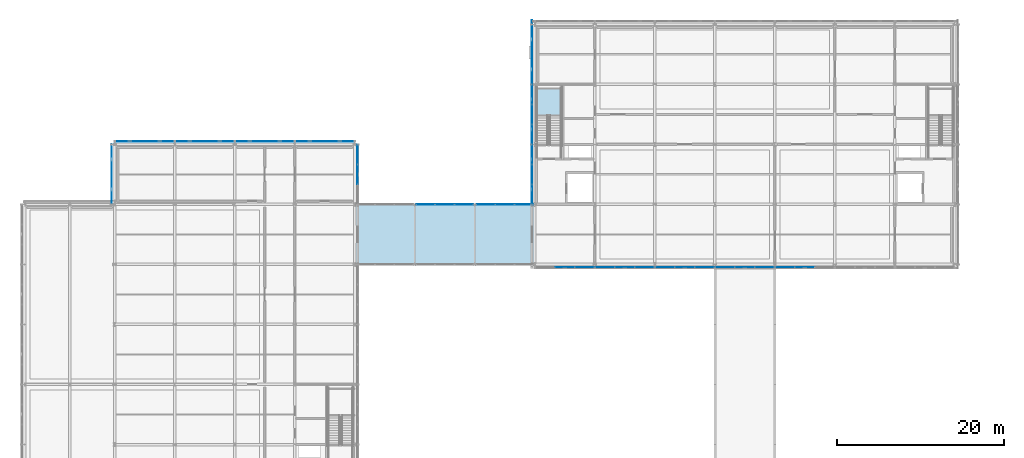
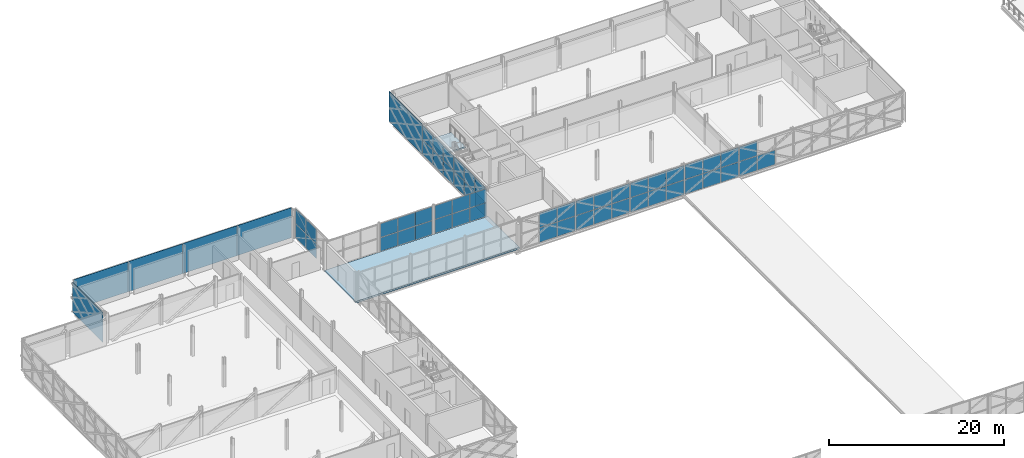
# One storey, part 80 of 126: 59 plates, 2 slabs, 11 elements without a shape of their own.
"""IFC4 building model written with IfcOpenShell, lengths in metres."""

from ifc_helpers import new_model, si_unit, direction, frame, origin, origin_2d, place, context, subcontext, project, spatial, polyline, rectangle, outline, extrude, material, layer, layer_set, type_object, element, aggregate, save


model = new_model("IFC4")

# Units and contexts
model_context = context("Model", 3, precision=1e-05, world=origin(), true_north=direction((0.0, 1.0)))
body_context = subcontext(model_context, "Body", "Model", "MODEL_VIEW")
ifc_project = project(units=[si_unit("LENGTHUNIT", "METRE"), si_unit("AREAUNIT", "SQUARE_METRE"), si_unit("VOLUMEUNIT", "CUBIC_METRE"), si_unit("PLANEANGLEUNIT", "RADIAN"), si_unit("MASSUNIT", "GRAM", prefix="KILO")], contexts=[model_context])

# Site, building, storey
site_placement = place(None, origin())
site = spatial("IfcSite", under=ifc_project, at=site_placement, CompositionType="ELEMENT")
building_placement = place(site_placement, origin())
building = spatial("IfcBuilding", under=site, at=building_placement, Name="Zlatovets Crest Museum", CompositionType="ELEMENT")
storey_placement = place(building_placement, frame((0.0, 0.0, 8.699951171875)))
storey = spatial("IfcBuildingStorey", under=building, at=storey_placement, Name="L02", CompositionType="ELEMENT", Elevation=8.699951171875)

# Curtain wall, plates
ifc_material_1 = material(Name="Bronze-anodised aluminium and low-E triple glass", Category="aluminium")
curtain_wall_type_1 = type_object("IfcCurtainWallType", Name="CW_CW-BR3-L02-S69", PredefinedType="NOTDEFINED", material=ifc_material_1)
curtain_wall_1_placement = place(storey_placement, origin())
curtain_wall_1 = element("IfcCurtainWall", 1, at=curtain_wall_1_placement, inside=storey, type_object=curtain_wall_type_1, Name="Northwest Crest Glazed Link Bridge L02 Glazed Bridge Curtain Wall", PredefinedType="NOTDEFINED")
ifc_material_2 = material(Name="Solar-control low-E laminated triple glass", Category="glass")
ifc_layer_1 = layer(ifc_material_2, 0.030029296875)
ifc_layer_set_1 = layer_set([ifc_layer_1], Name="Solar-control low-E laminated triple glass")
plate_type_1 = type_object("IfcPlateType", Name="CWPanel_CW-BR3-L02-S69", PredefinedType="CURTAIN_PANEL", material=ifc_layer_set_1)
plate_1_placement = place(storey_placement, frame((44.514892578125, 93.60009765625, 0.06005859375), z_axis=(0.0, 0.0, 1.0), x_axis=(1.0, 0.0, 0.0)))
plate_1 = element("IfcPlate", 2, at=plate_1_placement, type_object=plate_type_1, Name="CW-BR3-L02-S69 panel 1.1", PredefinedType="CURTAIN_PANEL", context=body_context, shape_type="SweptSolid", body=[
    extrude(rectangle(XDim=2.2099609375, YDim=0.030029296875, at=origin_2d()), origin(), (0.0, 0.0, 1.0), 1.89990234375),
])
plate_2_placement = place(storey_placement, frame((44.514892578125, 93.60009765625, 2.02001953125), z_axis=(0.0, 0.0, 1.0), x_axis=(1.0, 0.0, 0.0)))
plate_2 = element("IfcPlate", 3, at=plate_2_placement, type_object=plate_type_1, Name="CW-BR3-L02-S69 panel 1.2", PredefinedType="CURTAIN_PANEL", context=body_context, shape_type="SweptSolid", body=[
    extrude(rectangle(XDim=2.2099609375, YDim=0.030029296875, at=origin_2d()), origin(), (0.0, 0.0, 1.0), 1.89990234375),
])
plate_3_placement = place(storey_placement, frame((46.800048828125, 93.60009765625, 0.06005859375), z_axis=(0.0, 0.0, 1.0), x_axis=(1.0, 0.0, 0.0)))
plate_3 = element("IfcPlate", 4, at=plate_3_placement, type_object=plate_type_1, Name="CW-BR3-L02-S69 panel 2.1", PredefinedType="CURTAIN_PANEL", context=body_context, shape_type="SweptSolid", body=[
    extrude(rectangle(XDim=2.239990234375, YDim=0.030029296875, at=origin_2d()), origin(), (0.0, 0.0, 1.0), 1.89990234375),
])
plate_4_placement = place(storey_placement, frame((46.800048828125, 93.60009765625, 2.02001953125), z_axis=(0.0, 0.0, 1.0), x_axis=(1.0, 0.0, 0.0)))
plate_4 = element("IfcPlate", 5, at=plate_4_placement, type_object=plate_type_1, Name="CW-BR3-L02-S69 panel 2.2", PredefinedType="CURTAIN_PANEL", context=body_context, shape_type="SweptSolid", body=[
    extrude(rectangle(XDim=2.239990234375, YDim=0.030029296875, at=origin_2d()), origin(), (0.0, 0.0, 1.0), 1.89990234375),
])
plate_5_placement = place(storey_placement, frame((49.0849609375, 93.60009765625, 0.06005859375), z_axis=(0.0, 0.0, 1.0), x_axis=(1.0, 0.0, 0.0)))
plate_5 = element("IfcPlate", 6, at=plate_5_placement, type_object=plate_type_1, Name="CW-BR3-L02-S69 panel 3.1", PredefinedType="CURTAIN_PANEL", context=body_context, shape_type="SweptSolid", body=[
    extrude(rectangle(XDim=2.2099609375, YDim=0.030029296875, at=origin_2d()), origin(), (0.0, 0.0, 1.0), 1.89990234375),
])
plate_6_placement = place(storey_placement, frame((49.0849609375, 93.60009765625, 2.02001953125), z_axis=(0.0, 0.0, 1.0), x_axis=(1.0, 0.0, 0.0)))
plate_6 = element("IfcPlate", 7, at=plate_6_placement, type_object=plate_type_1, Name="CW-BR3-L02-S69 panel 3.2", PredefinedType="CURTAIN_PANEL", context=body_context, shape_type="SweptSolid", body=[
    extrude(rectangle(XDim=2.2099609375, YDim=0.030029296875, at=origin_2d()), origin(), (0.0, 0.0, 1.0), 1.89990234375),
])
aggregate(curtain_wall_1, [plate_1, plate_2, plate_3, plate_4, plate_5, plate_6])

curtain_wall_2_placement = place(storey_placement, origin())
curtain_wall_2 = element("IfcCurtainWall", 8, at=curtain_wall_2_placement, inside=storey, type_object=curtain_wall_type_1, Name="Northwest Crest Glazed Link Bridge L02 Glazed Bridge Curtain Wall", PredefinedType="NOTDEFINED")
plate_7_placement = place(storey_placement, frame((51.715087890625, 93.60009765625, 0.06005859375), z_axis=(0.0, 0.0, 1.0), x_axis=(1.0, 0.0, 0.0)))
plate_7 = element("IfcPlate", 9, at=plate_7_placement, type_object=plate_type_1, Name="CW-BR3-L02-S69 panel 1.1", PredefinedType="CURTAIN_PANEL", context=body_context, shape_type="SweptSolid", body=[
    extrude(rectangle(XDim=2.2099609375, YDim=0.030029296875, at=origin_2d()), origin(), (0.0, 0.0, 1.0), 1.89990234375),
])
plate_8_placement = place(storey_placement, frame((51.715087890625, 93.60009765625, 2.02001953125), z_axis=(0.0, 0.0, 1.0), x_axis=(1.0, 0.0, 0.0)))
plate_8 = element("IfcPlate", 10, at=plate_8_placement, type_object=plate_type_1, Name="CW-BR3-L02-S69 panel 1.2", PredefinedType="CURTAIN_PANEL", context=body_context, shape_type="SweptSolid", body=[
    extrude(rectangle(XDim=2.2099609375, YDim=0.030029296875, at=origin_2d()), origin(), (0.0, 0.0, 1.0), 1.89990234375),
])
plate_9_placement = place(storey_placement, frame((54.0, 93.60009765625, 0.06005859375), z_axis=(0.0, 0.0, 1.0), x_axis=(1.0, 0.0, 0.0)))
plate_9 = element("IfcPlate", 11, at=plate_9_placement, type_object=plate_type_1, Name="CW-BR3-L02-S69 panel 2.1", PredefinedType="CURTAIN_PANEL", context=body_context, shape_type="SweptSolid", body=[
    extrude(rectangle(XDim=2.239990234375, YDim=0.030029296875, at=origin_2d()), origin(), (0.0, 0.0, 1.0), 1.89990234375),
])
plate_10_placement = place(storey_placement, frame((54.0, 93.60009765625, 2.02001953125), z_axis=(0.0, 0.0, 1.0), x_axis=(1.0, 0.0, 0.0)))
plate_10 = element("IfcPlate", 12, at=plate_10_placement, type_object=plate_type_1, Name="CW-BR3-L02-S69 panel 2.2", PredefinedType="CURTAIN_PANEL", context=body_context, shape_type="SweptSolid", body=[
    extrude(rectangle(XDim=2.239990234375, YDim=0.030029296875, at=origin_2d()), origin(), (0.0, 0.0, 1.0), 1.89990234375),
])
plate_11_placement = place(storey_placement, frame((56.284912109375, 93.60009765625, 0.06005859375), z_axis=(0.0, 0.0, 1.0), x_axis=(1.0, 0.0, 0.0)))
plate_11 = element("IfcPlate", 13, at=plate_11_placement, type_object=plate_type_1, Name="CW-BR3-L02-S69 panel 3.1", PredefinedType="CURTAIN_PANEL", context=body_context, shape_type="SweptSolid", body=[
    extrude(rectangle(XDim=2.2099609375, YDim=0.030029296875, at=origin_2d()), origin(), (0.0, 0.0, 1.0), 1.89990234375),
])
plate_12_placement = place(storey_placement, frame((56.284912109375, 93.60009765625, 2.02001953125), z_axis=(0.0, 0.0, 1.0), x_axis=(1.0, 0.0, 0.0)))
plate_12 = element("IfcPlate", 14, at=plate_12_placement, type_object=plate_type_1, Name="CW-BR3-L02-S69 panel 3.2", PredefinedType="CURTAIN_PANEL", context=body_context, shape_type="SweptSolid", body=[
    extrude(rectangle(XDim=2.2099609375, YDim=0.030029296875, at=origin_2d()), origin(), (0.0, 0.0, 1.0), 1.89990234375),
])
aggregate(curtain_wall_2, [plate_7, plate_8, plate_9, plate_10, plate_11, plate_12])

curtain_wall_type_2 = type_object("IfcCurtainWallType", Name="CW_CW-V1-L02-M0", PredefinedType="NOTDEFINED", material=ifc_material_1)
curtain_wall_3_placement = place(storey_placement, origin())
curtain_wall_3 = element("IfcCurtainWall", 15, at=curtain_wall_3_placement, inside=storey, type_object=curtain_wall_type_2, Name="V1 L02 Secession Foyer Clear Curtain Wall", PredefinedType="NOTDEFINED")
ifc_layer_2 = layer(ifc_material_2, 0.028076171875)
ifc_layer_set_2 = layer_set([ifc_layer_2], Name="Solar-control low-E laminated triple glass")
plate_type_2 = type_object("IfcPlateType", Name="CWPanel_CW-V1-L02-M0", PredefinedType="CURTAIN_PANEL", material=ifc_layer_set_2)
plate_13_placement = place(storey_placement, frame((61.199951171875, 86.06005859375, 0.06005859375), z_axis=(0.0, 0.0, 1.0), x_axis=(1.0, 0.0, 0.0)))
plate_13 = element("IfcPlate", 16, at=plate_13_placement, type_object=plate_type_2, Name="CW-V1-L02-M0 panel 2.1", PredefinedType="CURTAIN_PANEL", context=body_context, shape_type="SweptSolid", body=[
    extrude(rectangle(XDim=2.340087890625, YDim=0.028076171875, at=origin_2d()), origin(), (0.0, 0.0, 1.0), 2.010009765625),
])
plate_14_placement = place(storey_placement, frame((61.199951171875, 86.06005859375, 2.1298828125), z_axis=(0.0, 0.0, 1.0), x_axis=(1.0, 0.0, 0.0)))
plate_14 = element("IfcPlate", 17, at=plate_14_placement, type_object=plate_type_2, Name="CW-V1-L02-M0 panel 2.2", PredefinedType="CURTAIN_PANEL", context=body_context, shape_type="SweptSolid", body=[
    extrude(rectangle(XDim=2.340087890625, YDim=0.028076171875, at=origin_2d()), origin(), (0.0, 0.0, 1.0), 2.010009765625),
])
plate_15_placement = place(storey_placement, frame((63.5849609375, 86.06005859375, 0.06005859375), z_axis=(0.0, 0.0, 1.0), x_axis=(1.0, 0.0, 0.0)))
plate_15 = element("IfcPlate", 18, at=plate_15_placement, type_object=plate_type_2, Name="CW-V1-L02-M0 panel 3.1", PredefinedType="CURTAIN_PANEL", context=body_context, shape_type="SweptSolid", body=[
    extrude(rectangle(XDim=2.31005859375, YDim=0.028076171875, at=origin_2d()), origin(), (0.0, 0.0, 1.0), 2.010009765625),
])
plate_16_placement = place(storey_placement, frame((63.5849609375, 86.06005859375, 2.1298828125), z_axis=(0.0, 0.0, 1.0), x_axis=(1.0, 0.0, 0.0)))
plate_16 = element("IfcPlate", 19, at=plate_16_placement, type_object=plate_type_2, Name="CW-V1-L02-M0 panel 3.2", PredefinedType="CURTAIN_PANEL", context=body_context, shape_type="SweptSolid", body=[
    extrude(rectangle(XDim=2.31005859375, YDim=0.028076171875, at=origin_2d()), origin(), (0.0, 0.0, 1.0), 2.010009765625),
])
aggregate(curtain_wall_3, [plate_13, plate_14, plate_15, plate_16])

curtain_wall_4_placement = place(storey_placement, origin())
curtain_wall_4 = element("IfcCurtainWall", 20, at=curtain_wall_4_placement, inside=storey, type_object=curtain_wall_type_2, Name="V1 L02 Secession Foyer Clear Curtain Wall", PredefinedType="NOTDEFINED")
plate_17_placement = place(storey_placement, frame((87.614990234375, 86.06005859375, 0.06005859375), z_axis=(0.0, 0.0, 1.0), x_axis=(1.0, 0.0, 0.0)))
plate_17 = element("IfcPlate", 21, at=plate_17_placement, type_object=plate_type_2, Name="CW-V1-L02-M0 panel 1.1", PredefinedType="CURTAIN_PANEL", context=body_context, shape_type="SweptSolid", body=[
    extrude(rectangle(XDim=2.31005859375, YDim=0.028076171875, at=origin_2d()), origin(), (0.0, 0.0, 1.0), 2.010009765625),
])
plate_18_placement = place(storey_placement, frame((87.614990234375, 86.06005859375, 2.1298828125), z_axis=(0.0, 0.0, 1.0), x_axis=(1.0, 0.0, 0.0)))
plate_18 = element("IfcPlate", 22, at=plate_18_placement, type_object=plate_type_2, Name="CW-V1-L02-M0 panel 1.2", PredefinedType="CURTAIN_PANEL", context=body_context, shape_type="SweptSolid", body=[
    extrude(rectangle(XDim=2.31005859375, YDim=0.028076171875, at=origin_2d()), origin(), (0.0, 0.0, 1.0), 2.010009765625),
])
plate_19_placement = place(storey_placement, frame((90.0, 86.06005859375, 0.06005859375), z_axis=(0.0, 0.0, 1.0), x_axis=(1.0, 0.0, 0.0)))
plate_19 = element("IfcPlate", 23, at=plate_19_placement, type_object=plate_type_2, Name="CW-V1-L02-M0 panel 2.1", PredefinedType="CURTAIN_PANEL", context=body_context, shape_type="SweptSolid", body=[
    extrude(rectangle(XDim=2.340087890625, YDim=0.028076171875, at=origin_2d()), origin(), (0.0, 0.0, 1.0), 2.010009765625),
])
aggregate(curtain_wall_4, [plate_17, plate_18, plate_19])

curtain_wall_5_placement = place(storey_placement, origin())
curtain_wall_5 = element("IfcCurtainWall", 24, at=curtain_wall_5_placement, inside=storey, type_object=curtain_wall_type_2, Name="V1 L02 Expressed Core Glazed Facade", PredefinedType="NOTDEFINED")
plate_20_placement = place(storey_placement, frame((57.260009765625, 99.5849609375, 0.06005859375), z_axis=(0.0, 0.0, 1.0), x_axis=(0.0, -1.0, 0.0)))
plate_20 = element("IfcPlate", 25, at=plate_20_placement, type_object=plate_type_2, Name="CW-V1-L02-M0 panel 1.1", PredefinedType="CURTAIN_PANEL", context=body_context, shape_type="SweptSolid", body=[
    extrude(rectangle(XDim=2.31005859375, YDim=0.030029296875, at=origin_2d()), origin(), (0.0, 0.0, 1.0), 2.010009765625),
])
plate_21_placement = place(storey_placement, frame((57.260009765625, 99.5849609375, 2.1298828125), z_axis=(0.0, 0.0, 1.0), x_axis=(0.0, -1.0, 0.0)))
plate_21 = element("IfcPlate", 26, at=plate_21_placement, type_object=plate_type_2, Name="CW-V1-L02-M0 panel 1.2", PredefinedType="CURTAIN_PANEL", context=body_context, shape_type="SweptSolid", body=[
    extrude(rectangle(XDim=2.31005859375, YDim=0.030029296875, at=origin_2d()), origin(), (0.0, 0.0, 1.0), 2.010009765625),
])
plate_22_placement = place(storey_placement, frame((57.260009765625, 97.199951171875, 0.06005859375), z_axis=(0.0, 0.0, 1.0), x_axis=(0.0, -1.0, 0.0)))
plate_22 = element("IfcPlate", 27, at=plate_22_placement, type_object=plate_type_2, Name="CW-V1-L02-M0 panel 2.1", PredefinedType="CURTAIN_PANEL", context=body_context, shape_type="SweptSolid", body=[
    extrude(rectangle(XDim=2.340087890625, YDim=0.030029296875, at=origin_2d()), origin(), (0.0, 0.0, 1.0), 2.010009765625),
])
plate_23_placement = place(storey_placement, frame((57.260009765625, 97.199951171875, 2.1298828125), z_axis=(0.0, 0.0, 1.0), x_axis=(0.0, -1.0, 0.0)))
plate_23 = element("IfcPlate", 28, at=plate_23_placement, type_object=plate_type_2, Name="CW-V1-L02-M0 panel 2.2", PredefinedType="CURTAIN_PANEL", context=body_context, shape_type="SweptSolid", body=[
    extrude(rectangle(XDim=2.340087890625, YDim=0.030029296875, at=origin_2d()), origin(), (0.0, 0.0, 1.0), 2.010009765625),
])
plate_24_placement = place(storey_placement, frame((57.260009765625, 94.81494140625, 0.06005859375), z_axis=(0.0, 0.0, 1.0), x_axis=(0.0, -1.0, 0.0)))
plate_24 = element("IfcPlate", 29, at=plate_24_placement, type_object=plate_type_2, Name="CW-V1-L02-M0 panel 3.1", PredefinedType="CURTAIN_PANEL", context=body_context, shape_type="SweptSolid", body=[
    extrude(rectangle(XDim=2.31005859375, YDim=0.030029296875, at=origin_2d()), origin(), (0.0, 0.0, 1.0), 2.010009765625),
])
plate_25_placement = place(storey_placement, frame((57.260009765625, 94.81494140625, 2.1298828125), z_axis=(0.0, 0.0, 1.0), x_axis=(0.0, -1.0, 0.0)))
plate_25 = element("IfcPlate", 30, at=plate_25_placement, type_object=plate_type_2, Name="CW-V1-L02-M0 panel 3.2", PredefinedType="CURTAIN_PANEL", context=body_context, shape_type="SweptSolid", body=[
    extrude(rectangle(XDim=2.31005859375, YDim=0.030029296875, at=origin_2d()), origin(), (0.0, 0.0, 1.0), 2.010009765625),
])
aggregate(curtain_wall_5, [plate_20, plate_21, plate_22, plate_23, plate_24, plate_25])

curtain_wall_type_3 = type_object("IfcCurtainWallType", Name="CW_CW-V1-L02-M1", PredefinedType="NOTDEFINED", material=ifc_material_1)
curtain_wall_6_placement = place(storey_placement, origin())
curtain_wall_6 = element("IfcCurtainWall", 31, at=curtain_wall_6_placement, inside=storey, type_object=curtain_wall_type_3, Name="V1 L02 Secession Foyer Clear Curtain Wall", PredefinedType="NOTDEFINED")
ifc_layer_3 = layer(ifc_material_2, 0.031982421875)
ifc_layer_set_3 = layer_set([ifc_layer_3], Name="Solar-control low-E laminated triple glass")
plate_type_3 = type_object("IfcPlateType", Name="CWPanel_CW-V1-L02-M1", PredefinedType="CURTAIN_PANEL", material=ifc_layer_set_3)
plate_26_placement = place(storey_placement, frame((66.014892578125, 86.06005859375, 0.06005859375), z_axis=(0.0, 0.0, 1.0), x_axis=(1.0, 0.0, 0.0)))
plate_26 = element("IfcPlate", 32, at=plate_26_placement, type_object=plate_type_3, Name="CW-V1-L02-M1 panel 1.1", PredefinedType="CURTAIN_PANEL", context=body_context, shape_type="SweptSolid", body=[
    extrude(rectangle(XDim=2.31005859375, YDim=0.031982421875, at=origin_2d()), origin(), (0.0, 0.0, 1.0), 2.010009765625),
])
plate_27_placement = place(storey_placement, frame((66.014892578125, 86.06005859375, 2.1298828125), z_axis=(0.0, 0.0, 1.0), x_axis=(1.0, 0.0, 0.0)))
plate_27 = element("IfcPlate", 33, at=plate_27_placement, type_object=plate_type_3, Name="CW-V1-L02-M1 panel 1.2", PredefinedType="CURTAIN_PANEL", context=body_context, shape_type="SweptSolid", body=[
    extrude(rectangle(XDim=2.31005859375, YDim=0.031982421875, at=origin_2d()), origin(), (0.0, 0.0, 1.0), 2.010009765625),
])
plate_28_placement = place(storey_placement, frame((68.39990234375, 86.06005859375, 0.06005859375), z_axis=(0.0, 0.0, 1.0), x_axis=(1.0, 0.0, 0.0)))
plate_28 = element("IfcPlate", 34, at=plate_28_placement, type_object=plate_type_3, Name="CW-V1-L02-M1 panel 2.1", PredefinedType="CURTAIN_PANEL", context=body_context, shape_type="SweptSolid", body=[
    extrude(rectangle(XDim=2.340087890625, YDim=0.031982421875, at=origin_2d()), origin(), (0.0, 0.0, 1.0), 2.010009765625),
])
plate_29_placement = place(storey_placement, frame((68.39990234375, 86.06005859375, 2.1298828125), z_axis=(0.0, 0.0, 1.0), x_axis=(1.0, 0.0, 0.0)))
plate_29 = element("IfcPlate", 35, at=plate_29_placement, type_object=plate_type_3, Name="CW-V1-L02-M1 panel 2.2", PredefinedType="CURTAIN_PANEL", context=body_context, shape_type="SweptSolid", body=[
    extrude(rectangle(XDim=2.340087890625, YDim=0.031982421875, at=origin_2d()), origin(), (0.0, 0.0, 1.0), 2.010009765625),
])
plate_30_placement = place(storey_placement, frame((70.784912109375, 86.06005859375, 0.06005859375), z_axis=(0.0, 0.0, 1.0), x_axis=(1.0, 0.0, 0.0)))
plate_30 = element("IfcPlate", 36, at=plate_30_placement, type_object=plate_type_3, Name="CW-V1-L02-M1 panel 3.1", PredefinedType="CURTAIN_PANEL", context=body_context, shape_type="SweptSolid", body=[
    extrude(rectangle(XDim=2.31005859375, YDim=0.031982421875, at=origin_2d()), origin(), (0.0, 0.0, 1.0), 2.010009765625),
])
plate_31_placement = place(storey_placement, frame((70.784912109375, 86.06005859375, 2.1298828125), z_axis=(0.0, 0.0, 1.0), x_axis=(1.0, 0.0, 0.0)))
plate_31 = element("IfcPlate", 37, at=plate_31_placement, type_object=plate_type_3, Name="CW-V1-L02-M1 panel 3.2", PredefinedType="CURTAIN_PANEL", context=body_context, shape_type="SweptSolid", body=[
    extrude(rectangle(XDim=2.31005859375, YDim=0.031982421875, at=origin_2d()), origin(), (0.0, 0.0, 1.0), 2.010009765625),
])
aggregate(curtain_wall_6, [plate_26, plate_27, plate_28, plate_29, plate_30, plate_31])

curtain_wall_type_4 = type_object("IfcCurtainWallType", Name="CW_CW-V1-L02-M2", PredefinedType="NOTDEFINED", material=ifc_material_1)
curtain_wall_7_placement = place(storey_placement, origin())
curtain_wall_7 = element("IfcCurtainWall", 38, at=curtain_wall_7_placement, inside=storey, type_object=curtain_wall_type_4, Name="V1 L02 Secession Foyer Clear Curtain Wall", PredefinedType="NOTDEFINED")
ifc_layer_4 = layer(ifc_material_2, 0.035888671875)
ifc_layer_set_4 = layer_set([ifc_layer_4], Name="Solar-control low-E laminated triple glass")
plate_type_4 = type_object("IfcPlateType", Name="CWPanel_CW-V1-L02-M2", PredefinedType="CURTAIN_PANEL", material=ifc_layer_set_4)
plate_32_placement = place(storey_placement, frame((73.215087890625, 86.06005859375, 0.06005859375), z_axis=(0.0, 0.0, 1.0), x_axis=(1.0, 0.0, 0.0)))
plate_32 = element("IfcPlate", 39, at=plate_32_placement, type_object=plate_type_4, Name="CW-V1-L02-M2 panel 1.1", PredefinedType="CURTAIN_PANEL", context=body_context, shape_type="SweptSolid", body=[
    extrude(rectangle(XDim=2.31005859375, YDim=0.035888671875, at=origin_2d()), origin(), (0.0, 0.0, 1.0), 2.010009765625),
])
plate_33_placement = place(storey_placement, frame((73.215087890625, 86.06005859375, 2.1298828125), z_axis=(0.0, 0.0, 1.0), x_axis=(1.0, 0.0, 0.0)))
plate_33 = element("IfcPlate", 40, at=plate_33_placement, type_object=plate_type_4, Name="CW-V1-L02-M2 panel 1.2", PredefinedType="CURTAIN_PANEL", context=body_context, shape_type="SweptSolid", body=[
    extrude(rectangle(XDim=2.31005859375, YDim=0.035888671875, at=origin_2d()), origin(), (0.0, 0.0, 1.0), 2.010009765625),
])
plate_34_placement = place(storey_placement, frame((75.60009765625, 86.06005859375, 0.06005859375), z_axis=(0.0, 0.0, 1.0), x_axis=(1.0, 0.0, 0.0)))
plate_34 = element("IfcPlate", 41, at=plate_34_placement, type_object=plate_type_4, Name="CW-V1-L02-M2 panel 2.1", PredefinedType="CURTAIN_PANEL", context=body_context, shape_type="SweptSolid", body=[
    extrude(rectangle(XDim=2.340087890625, YDim=0.035888671875, at=origin_2d()), origin(), (0.0, 0.0, 1.0), 2.010009765625),
])
plate_35_placement = place(storey_placement, frame((75.60009765625, 86.06005859375, 2.1298828125), z_axis=(0.0, 0.0, 1.0), x_axis=(1.0, 0.0, 0.0)))
plate_35 = element("IfcPlate", 42, at=plate_35_placement, type_object=plate_type_4, Name="CW-V1-L02-M2 panel 2.2", PredefinedType="CURTAIN_PANEL", context=body_context, shape_type="SweptSolid", body=[
    extrude(rectangle(XDim=2.340087890625, YDim=0.035888671875, at=origin_2d()), origin(), (0.0, 0.0, 1.0), 2.010009765625),
])
plate_36_placement = place(storey_placement, frame((77.985107421875, 86.06005859375, 0.06005859375), z_axis=(0.0, 0.0, 1.0), x_axis=(1.0, 0.0, 0.0)))
plate_36 = element("IfcPlate", 43, at=plate_36_placement, type_object=plate_type_4, Name="CW-V1-L02-M2 panel 3.1", PredefinedType="CURTAIN_PANEL", context=body_context, shape_type="SweptSolid", body=[
    extrude(rectangle(XDim=2.31005859375, YDim=0.035888671875, at=origin_2d()), origin(), (0.0, 0.0, 1.0), 2.010009765625),
])
plate_37_placement = place(storey_placement, frame((77.985107421875, 86.06005859375, 2.1298828125), z_axis=(0.0, 0.0, 1.0), x_axis=(1.0, 0.0, 0.0)))
plate_37 = element("IfcPlate", 44, at=plate_37_placement, type_object=plate_type_4, Name="CW-V1-L02-M2 panel 3.2", PredefinedType="CURTAIN_PANEL", context=body_context, shape_type="SweptSolid", body=[
    extrude(rectangle(XDim=2.31005859375, YDim=0.035888671875, at=origin_2d()), origin(), (0.0, 0.0, 1.0), 2.010009765625),
])
aggregate(curtain_wall_7, [plate_32, plate_33, plate_34, plate_35, plate_36, plate_37])

curtain_wall_type_5 = type_object("IfcCurtainWallType", Name="CW_CW-V1-L02-M3", PredefinedType="NOTDEFINED", material=ifc_material_1)
curtain_wall_8_placement = place(storey_placement, origin())
curtain_wall_8 = element("IfcCurtainWall", 45, at=curtain_wall_8_placement, inside=storey, type_object=curtain_wall_type_5, Name="V1 L02 Secession Foyer Clear Curtain Wall", PredefinedType="NOTDEFINED")
ifc_layer_5 = layer(ifc_material_2, 0.0400390625)
ifc_layer_set_5 = layer_set([ifc_layer_5], Name="Solar-control low-E laminated triple glass")
plate_type_5 = type_object("IfcPlateType", Name="CWPanel_CW-V1-L02-M3", PredefinedType="CURTAIN_PANEL", material=ifc_layer_set_5)
plate_38_placement = place(storey_placement, frame((80.4150390625, 86.06005859375, 0.06005859375), z_axis=(0.0, 0.0, 1.0), x_axis=(1.0, 0.0, 0.0)))
plate_38 = element("IfcPlate", 46, at=plate_38_placement, type_object=plate_type_5, Name="CW-V1-L02-M3 panel 1.1", PredefinedType="CURTAIN_PANEL", context=body_context, shape_type="SweptSolid", body=[
    extrude(rectangle(XDim=2.31005859375, YDim=0.0400390625, at=origin_2d()), origin(), (0.0, 0.0, 1.0), 2.010009765625),
])
plate_39_placement = place(storey_placement, frame((80.4150390625, 86.06005859375, 2.1298828125), z_axis=(0.0, 0.0, 1.0), x_axis=(1.0, 0.0, 0.0)))
plate_39 = element("IfcPlate", 47, at=plate_39_placement, type_object=plate_type_5, Name="CW-V1-L02-M3 panel 1.2", PredefinedType="CURTAIN_PANEL", context=body_context, shape_type="SweptSolid", body=[
    extrude(rectangle(XDim=2.31005859375, YDim=0.0400390625, at=origin_2d()), origin(), (0.0, 0.0, 1.0), 2.010009765625),
])
plate_40_placement = place(storey_placement, frame((82.800048828125, 86.06005859375, 0.06005859375), z_axis=(0.0, 0.0, 1.0), x_axis=(1.0, 0.0, 0.0)))
plate_40 = element("IfcPlate", 48, at=plate_40_placement, type_object=plate_type_5, Name="CW-V1-L02-M3 panel 2.1", PredefinedType="CURTAIN_PANEL", context=body_context, shape_type="SweptSolid", body=[
    extrude(rectangle(XDim=2.340087890625, YDim=0.0400390625, at=origin_2d()), origin(), (0.0, 0.0, 1.0), 2.010009765625),
])
plate_41_placement = place(storey_placement, frame((82.800048828125, 86.06005859375, 2.1298828125), z_axis=(0.0, 0.0, 1.0), x_axis=(1.0, 0.0, 0.0)))
plate_41 = element("IfcPlate", 49, at=plate_41_placement, type_object=plate_type_5, Name="CW-V1-L02-M3 panel 2.2", PredefinedType="CURTAIN_PANEL", context=body_context, shape_type="SweptSolid", body=[
    extrude(rectangle(XDim=2.340087890625, YDim=0.0400390625, at=origin_2d()), origin(), (0.0, 0.0, 1.0), 2.010009765625),
])
plate_42_placement = place(storey_placement, frame((85.18505859375, 86.06005859375, 0.06005859375), z_axis=(0.0, 0.0, 1.0), x_axis=(1.0, 0.0, 0.0)))
plate_42 = element("IfcPlate", 50, at=plate_42_placement, type_object=plate_type_5, Name="CW-V1-L02-M3 panel 3.1", PredefinedType="CURTAIN_PANEL", context=body_context, shape_type="SweptSolid", body=[
    extrude(rectangle(XDim=2.31005859375, YDim=0.0400390625, at=origin_2d()), origin(), (0.0, 0.0, 1.0), 2.010009765625),
])
plate_43_placement = place(storey_placement, frame((85.18505859375, 86.06005859375, 2.1298828125), z_axis=(0.0, 0.0, 1.0), x_axis=(1.0, 0.0, 0.0)))
plate_43 = element("IfcPlate", 51, at=plate_43_placement, type_object=plate_type_5, Name="CW-V1-L02-M3 panel 3.2", PredefinedType="CURTAIN_PANEL", context=body_context, shape_type="SweptSolid", body=[
    extrude(rectangle(XDim=2.31005859375, YDim=0.0400390625, at=origin_2d()), origin(), (0.0, 0.0, 1.0), 2.010009765625),
])
aggregate(curtain_wall_8, [plate_38, plate_39, plate_40, plate_41, plate_42, plate_43])

curtain_wall_9_placement = place(storey_placement, origin())
curtain_wall_9 = element("IfcCurtainWall", 52, at=curtain_wall_9_placement, inside=storey, type_object=curtain_wall_type_5, Name="V1 L02 Expressed Core Glazed Facade", PredefinedType="NOTDEFINED")
plate_44_placement = place(storey_placement, frame((57.260009765625, 106.784912109375, 0.06005859375), z_axis=(0.0, 0.0, 1.0), x_axis=(0.0, -1.0, 0.0)))
plate_44 = element("IfcPlate", 53, at=plate_44_placement, type_object=plate_type_5, Name="CW-V1-L02-M3 panel 1.1", PredefinedType="CURTAIN_PANEL", context=body_context, shape_type="SweptSolid", body=[
    extrude(rectangle(XDim=2.31005859375, YDim=0.030029296875, at=origin_2d()), origin(), (0.0, 0.0, 1.0), 2.010009765625),
])
plate_45_placement = place(storey_placement, frame((57.260009765625, 106.784912109375, 2.1298828125), z_axis=(0.0, 0.0, 1.0), x_axis=(0.0, -1.0, 0.0)))
plate_45 = element("IfcPlate", 54, at=plate_45_placement, type_object=plate_type_5, Name="CW-V1-L02-M3 panel 1.2", PredefinedType="CURTAIN_PANEL", context=body_context, shape_type="SweptSolid", body=[
    extrude(rectangle(XDim=2.31005859375, YDim=0.030029296875, at=origin_2d()), origin(), (0.0, 0.0, 1.0), 2.010009765625),
])
plate_46_placement = place(storey_placement, frame((57.260009765625, 104.39990234375, 0.06005859375), z_axis=(0.0, 0.0, 1.0), x_axis=(0.0, -1.0, 0.0)))
plate_46 = element("IfcPlate", 55, at=plate_46_placement, type_object=plate_type_5, Name="CW-V1-L02-M3 panel 2.1", PredefinedType="CURTAIN_PANEL", context=body_context, shape_type="SweptSolid", body=[
    extrude(rectangle(XDim=2.340087890625, YDim=0.030029296875, at=origin_2d()), origin(), (0.0, 0.0, 1.0), 2.010009765625),
])
plate_47_placement = place(storey_placement, frame((57.260009765625, 104.39990234375, 2.1298828125), z_axis=(0.0, 0.0, 1.0), x_axis=(0.0, -1.0, 0.0)))
plate_47 = element("IfcPlate", 56, at=plate_47_placement, type_object=plate_type_5, Name="CW-V1-L02-M3 panel 2.2", PredefinedType="CURTAIN_PANEL", context=body_context, shape_type="SweptSolid", body=[
    extrude(rectangle(XDim=2.340087890625, YDim=0.030029296875, at=origin_2d()), origin(), (0.0, 0.0, 1.0), 2.010009765625),
])
plate_48_placement = place(storey_placement, frame((57.260009765625, 102.014892578125, 0.06005859375), z_axis=(0.0, 0.0, 1.0), x_axis=(0.0, -1.0, 0.0)))
plate_48 = element("IfcPlate", 57, at=plate_48_placement, type_object=plate_type_5, Name="CW-V1-L02-M3 panel 3.1", PredefinedType="CURTAIN_PANEL", context=body_context, shape_type="SweptSolid", body=[
    extrude(rectangle(XDim=2.31005859375, YDim=0.030029296875, at=origin_2d()), origin(), (0.0, 0.0, 1.0), 2.010009765625),
])
plate_49_placement = place(storey_placement, frame((57.260009765625, 102.014892578125, 2.1298828125), z_axis=(0.0, 0.0, 1.0), x_axis=(0.0, -1.0, 0.0)))
plate_49 = element("IfcPlate", 58, at=plate_49_placement, type_object=plate_type_5, Name="CW-V1-L02-M3 panel 3.2", PredefinedType="CURTAIN_PANEL", context=body_context, shape_type="SweptSolid", body=[
    extrude(rectangle(XDim=2.31005859375, YDim=0.030029296875, at=origin_2d()), origin(), (0.0, 0.0, 1.0), 2.010009765625),
])
aggregate(curtain_wall_9, [plate_44, plate_45, plate_46, plate_47, plate_48, plate_49])

curtain_wall_type_6 = type_object("IfcCurtainWallType", Name="CW_CW-V4-L02-M2", PredefinedType="NOTDEFINED", material=ifc_material_1)
curtain_wall_10_placement = place(storey_placement, origin())
curtain_wall_10 = element("IfcCurtainWall", 59, at=curtain_wall_10_placement, inside=storey, type_object=curtain_wall_type_6, Name="V4 L02 Secession Foyer Clear Curtain Wall", PredefinedType="NOTDEFINED")
ifc_layer_6 = layer(ifc_material_2, 0.030029296875)
ifc_layer_set_6 = layer_set([ifc_layer_6], Name="Solar-control low-E laminated triple glass")
plate_type_6 = type_object("IfcPlateType", Name="CWPanel_CW-V4-L02-M2", PredefinedType="CURTAIN_PANEL", material=ifc_layer_set_6)
plate_50_placement = place(storey_placement, frame((36.340087890625, 97.199951171875, 0.06005859375), z_axis=(0.0, 0.0, 1.0), x_axis=(0.0, 1.0, 0.0)))
plate_50 = element("IfcPlate", 60, at=plate_50_placement, type_object=plate_type_6, Name="CW-V4-L02-M2 panel 2.1", PredefinedType="CURTAIN_PANEL", context=body_context, shape_type="SweptSolid", body=[
    extrude(rectangle(XDim=2.340087890625, YDim=0.035888671875, at=origin_2d()), origin(), (0.0, 0.0, 1.0), 2.010009765625),
])
plate_51_placement = place(storey_placement, frame((36.340087890625, 97.199951171875, 2.1298828125), z_axis=(0.0, 0.0, 1.0), x_axis=(0.0, 1.0, 0.0)))
plate_51 = element("IfcPlate", 61, at=plate_51_placement, type_object=plate_type_6, Name="CW-V4-L02-M2 panel 2.2", PredefinedType="CURTAIN_PANEL", context=body_context, shape_type="SweptSolid", body=[
    extrude(rectangle(XDim=2.340087890625, YDim=0.035888671875, at=origin_2d()), origin(), (0.0, 0.0, 1.0), 2.010009765625),
])
plate_52_placement = place(storey_placement, frame((36.340087890625, 99.5849609375, 0.06005859375), z_axis=(0.0, 0.0, 1.0), x_axis=(0.0, 1.0, 0.0)))
plate_52 = element("IfcPlate", 62, at=plate_52_placement, type_object=plate_type_6, Name="CW-V4-L02-M2 panel 3.1", PredefinedType="CURTAIN_PANEL", context=body_context, shape_type="SweptSolid", body=[
    extrude(rectangle(XDim=2.31005859375, YDim=0.035888671875, at=origin_2d()), origin(), (0.0, 0.0, 1.0), 2.010009765625),
])
plate_53_placement = place(storey_placement, frame((36.340087890625, 99.5849609375, 2.1298828125), z_axis=(0.0, 0.0, 1.0), x_axis=(0.0, 1.0, 0.0)))
plate_53 = element("IfcPlate", 63, at=plate_53_placement, type_object=plate_type_6, Name="CW-V4-L02-M2 panel 3.2", PredefinedType="CURTAIN_PANEL", context=body_context, shape_type="SweptSolid", body=[
    extrude(rectangle(XDim=2.31005859375, YDim=0.035888671875, at=origin_2d()), origin(), (0.0, 0.0, 1.0), 2.010009765625),
])
aggregate(curtain_wall_10, [plate_50, plate_51, plate_52, plate_53])

# Plates
ifc_material_3 = material(Name="Ceramic-fritted low-E laminated architectural glass", Category="glass")
ifc_layer_7 = layer(ifc_material_3, 0.031982421875)
ifc_layer_set_7 = layer_set([ifc_layer_7], Name="Ceramic-fritted low-E laminated architectural glass")
plate_type_7 = type_object("IfcPlateType", Name="GlazedSpandrel_GSP1", PredefinedType="USERDEFINED", material=ifc_layer_set_7)
plate_54_placement = place(storey_placement, frame((57.260009765625, 111.840087890625, 0.0), z_axis=(0.0, 0.0, 1.0), x_axis=(0.0, 1.0, 0.0)))
element("IfcPlate", 64, at=plate_54_placement, inside=storey, type_object=plate_type_7, Name="V1 L02 Ceramic-Fritted Gallery Glass Skin", ObjectType="GLAZED_SPANDREL", PredefinedType="USERDEFINED", context=body_context, shape_type="SweptSolid", body=[
    extrude(rectangle(XDim=7.679931640625, YDim=0.031982421875, at=origin_2d()), origin(), (0.0, 0.0, 1.0), 4.199951171875),
])
for number, where, z_axis, x_axis, name in (
    (65, (10.800048828125, 101.139892578125, 0.0), (0.0, 0.0, 1.0), (1.0, 0.0, 0.0), "V4 L02 Ceramic-Fritted Gallery Glass Skin"),
    (66, (18.0, 101.139892578125, 0.0), (0.0, 0.0, 1.0), (1.0, 0.0, 0.0), "V4 L02 Ceramic-Fritted Gallery Glass Skin"),
    (67, (25.199951171875, 101.139892578125, 0.0), (0.0, 0.0, 1.0), (1.0, 0.0, 0.0), "V4 L02 Ceramic-Fritted Gallery Glass Skin"),
    (68, (32.39990234375, 101.139892578125, 0.0), (0.0, 0.0, 1.0), (1.0, 0.0, 0.0), "V4 L02 Ceramic-Fritted Gallery Glass Skin"),
):
    element("IfcPlate", number, at=place(storey_placement, frame(where, z_axis=z_axis, x_axis=x_axis)), inside=storey, type_object=plate_type_7, Name=name, ObjectType="GLAZED_SPANDREL", PredefinedType="USERDEFINED", context=body_context, shape_type="SweptSolid", body=[
        extrude(rectangle(XDim=7.199951171875, YDim=0.031982421875, at=origin_2d()), origin(), (0.0, 0.0, 1.0), 4.199951171875),
    ])
plate_55_placement = place(storey_placement, frame((6.860107421875, 97.300048828125, 0.0), z_axis=(0.0, 0.0, 1.0), x_axis=(0.0, 1.0, 0.0)))
element("IfcPlate", 69, at=plate_55_placement, inside=storey, type_object=plate_type_7, Name="V4 L02 Ceramic-Fritted Gallery Glass Skin", ObjectType="GLAZED_SPANDREL", PredefinedType="USERDEFINED", context=body_context, shape_type="SweptSolid", body=[
    extrude(rectangle(XDim=7.0, YDim=0.031982421875, at=origin_2d()), origin(), (0.0, 0.0, 1.0), 4.199951171875),
])

# Slab
ifc_material_4 = material(Name="Concrete C30/37", Category="concrete")
ifc_layer_8 = layer(ifc_material_4, 0.219970703125)
ifc_layer_set_8 = layer_set([ifc_layer_8], Name="Concrete C30/37")
slab_type_1 = type_object("IfcSlabType", Name="Slab_FS-02", PredefinedType="FLOOR", material=ifc_layer_set_8)
slab_1_placement = place(storey_placement, frame((0.0, 0.0, -0.219970703125)))
element("IfcSlab", 70, at=slab_1_placement, inside=storey, type_object=slab_type_1, Name="Northwest Crest Glazed Link Bridge L02 Deck Slab", PredefinedType="FLOOR", context=body_context, shape_type="SweptSolid", body=[
    extrude(outline(polyline([(57.60009765625, 86.39990234375), (57.60009765625, 93.60009765625), (36.0, 93.60009765625), (36.0, 86.39990234375), (57.60009765625, 86.39990234375)])), origin(), (0.0, 0.0, 1.0), 0.219970703125),
])

# Stair, slab
ifc_material_5 = material(Name="Concrete C35/45", Category="concrete")
stair_type = type_object("IfcStairType", Name="Stair_ST1-26R", PredefinedType="HALF_TURN_STAIR", material=ifc_material_5)
stair_placement = place(storey_placement, origin())
stair = element("IfcStair", 71, at=stair_placement, inside=storey, type_object=stair_type, Name="L02 Core C1 Escape Stair ST1", PredefinedType="HALF_TURN_STAIR")
ifc_layer_9 = layer(ifc_material_5, 0.199951171875)
ifc_layer_set_9 = layer_set([ifc_layer_9], Name="Concrete C35/45")
slab_type_2 = type_object("IfcSlabType", Name="StairLanding_SLD1", PredefinedType="LANDING", material=ifc_layer_set_9)
slab_2_placement = place(storey_placement, frame((0.0, 0.0, 1.900146484375)))
slab_2 = element("IfcSlab", 72, at=slab_2_placement, type_object=slab_type_2, Name="ST1 landing 1", PredefinedType="LANDING", context=body_context, shape_type="SweptSolid", body=[
    extrude(outline(polyline([(60.800048828125, 104.300048828125), (60.800048828125, 107.60009765625), (57.800048828125, 107.60009765625), (57.800048828125, 104.300048828125), (60.800048828125, 104.300048828125)])), origin(), (0.0, 0.0, 1.0), 0.199951171875),
])
aggregate(stair, [slab_2])

save(model, "model.ifc")
